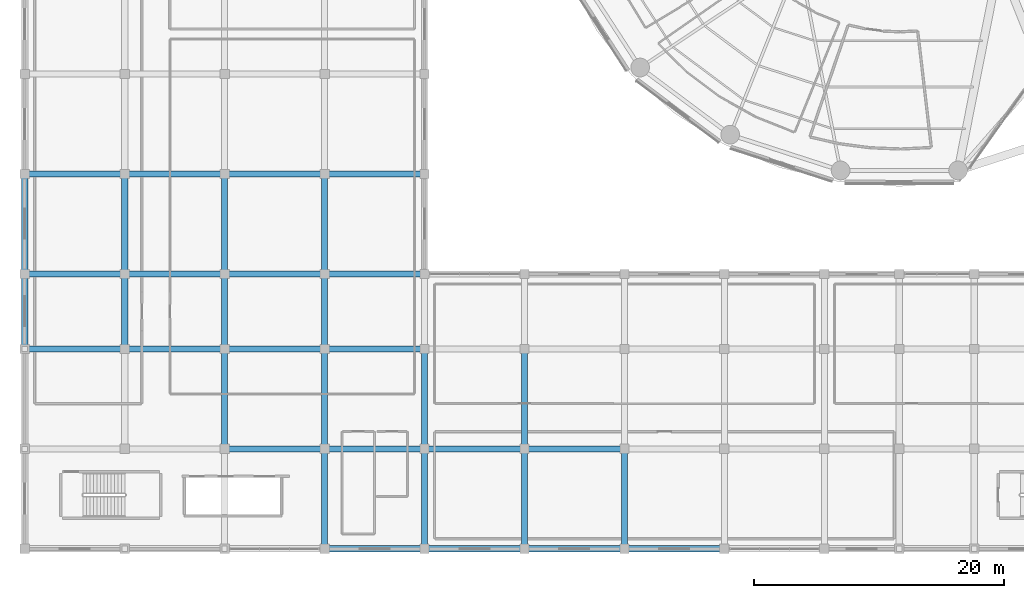
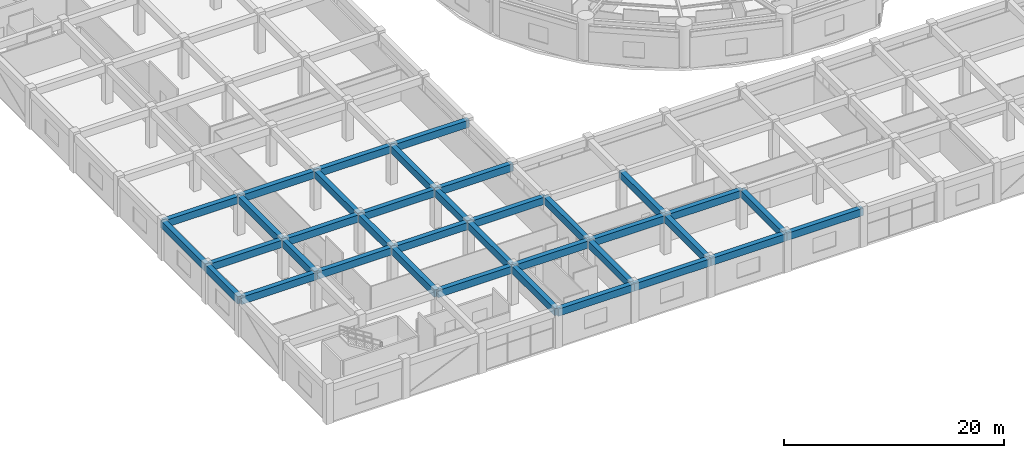
# One storey, part 7 of 53: 36 beams.
"""IFC4 building model written with IfcOpenShell, lengths in metres."""

from ifc_helpers import new_model, si_unit, direction, frame, origin, origin_2d, place, context, subcontext, project, spatial, rectangle, extrude, material, material_profile, profile_set, type_object, element, save


model = new_model("IFC4")

# Units and contexts
model_context = context("Model", 3, precision=1e-05, world=origin(), true_north=direction((0.0, 1.0)))
body_context = subcontext(model_context, "Body", "Model", "MODEL_VIEW")
ifc_project = project(units=[si_unit("LENGTHUNIT", "METRE"), si_unit("AREAUNIT", "SQUARE_METRE"), si_unit("VOLUMEUNIT", "CUBIC_METRE"), si_unit("PLANEANGLEUNIT", "RADIAN"), si_unit("MASSUNIT", "GRAM", prefix="KILO")], contexts=[model_context])

# Site, building, storey
site_placement = place(None, origin())
site = spatial("IfcSite", under=ifc_project, at=site_placement, CompositionType="ELEMENT")
building_placement = place(site_placement, origin())
building = spatial("IfcBuilding", under=site, at=building_placement, Name="Kelanora Arch Commons", CompositionType="ELEMENT")
storey_placement = place(building_placement, frame((0.0, 0.0, 9.0)))
storey = spatial("IfcBuildingStorey", under=building, at=storey_placement, Name="L02", CompositionType="ELEMENT", Elevation=9.0)

# Beams
ifc_material = material(Name="Concrete C40/50", Category="concrete")
ifc_material_profile = material_profile(ifc_material, rectangle(XDim=0.5, YDim=0.800048828125, at=origin_2d()), Name="RCB500x800")
ifc_profile_set = profile_set([ifc_material_profile], Name="Concrete C40/50")
beam_type = type_object("IfcBeamType", Name="BM-MKT-RC1", PredefinedType="BEAM", material=ifc_profile_set)
beam_1_placement = place(storey_placement, frame((4.0, 20.0, 3.840087890625), z_axis=(1.0, 0.0, 0.0), x_axis=(0.0, 1.0, 0.0)))
element("IfcBeam", 1, at=beam_1_placement, inside=storey, type_object=beam_type, Name="Market/Basement Frame Beam 005 L02", PredefinedType="BEAM", context=body_context, shape_type="SweptSolid", body=[
    extrude(rectangle(XDim=0.5, YDim=0.800048828125, at=origin_2d()), origin(), (0.0, 0.0, 1.0), 8.0),
])
beam_2_placement = place(storey_placement, frame((4.0, 20.0, 3.840087890625), z_axis=(0.0, 1.0, 0.0), x_axis=(-1.0, 0.0, 0.0)))
element("IfcBeam", 2, at=beam_2_placement, inside=storey, type_object=beam_type, Name="Market/Basement Frame Beam 006 L02", PredefinedType="BEAM", context=body_context, shape_type="SweptSolid", body=[
    extrude(rectangle(XDim=0.5, YDim=0.800048828125, at=origin_2d()), origin(), (0.0, 0.0, 1.0), 6.0),
])
for number, where, z_axis, x_axis, name in (
    (3, (4.0, 26.0, 3.840087890625), (1.0, 0.0, 0.0), (0.0, 1.0, 0.0), "Market/Basement Frame Beam 007 L02"),
    (4, (4.0, 26.0, 3.840087890625), (0.0, 1.0, 0.0), (-1.0, 0.0, 0.0), "Market/Basement Frame Beam 008 L02"),
    (5, (4.0, 34.0, 3.840087890625), (1.0, 0.0, 0.0), (0.0, 1.0, 0.0), "Market/Basement Frame Beam 009 L02"),
    (6, (12.0, 20.0, 3.840087890625), (1.0, 0.0, 0.0), (0.0, 1.0, 0.0), "Market/Basement Frame Beam 024 L02"),
):
    element("IfcBeam", number, at=place(storey_placement, frame(where, z_axis=z_axis, x_axis=x_axis)), inside=storey, type_object=beam_type, Name=name, PredefinedType="BEAM", context=body_context, shape_type="SweptSolid", body=[
        extrude(rectangle(XDim=0.5, YDim=0.800048828125, at=origin_2d()), origin(), (0.0, 0.0, 1.0), 8.0),
    ])
beam_3_placement = place(storey_placement, frame((12.0, 20.0, 3.840087890625), z_axis=(0.0, 1.0, 0.0), x_axis=(-1.0, 0.0, 0.0)))
element("IfcBeam", 7, at=beam_3_placement, inside=storey, type_object=beam_type, Name="Market/Basement Frame Beam 025 L02", PredefinedType="BEAM", context=body_context, shape_type="SweptSolid", body=[
    extrude(rectangle(XDim=0.5, YDim=0.800048828125, at=origin_2d()), origin(), (0.0, 0.0, 1.0), 6.0),
])
for number, where, z_axis, x_axis, name in (
    (8, (12.0, 26.0, 3.840087890625), (1.0, 0.0, 0.0), (0.0, 1.0, 0.0), "Market/Basement Frame Beam 026 L02"),
    (9, (12.0, 26.0, 3.840087890625), (0.0, 1.0, 0.0), (-1.0, 0.0, 0.0), "Market/Basement Frame Beam 027 L02"),
    (10, (12.0, 34.0, 3.840087890625), (1.0, 0.0, 0.0), (0.0, 1.0, 0.0), "Market/Basement Frame Beam 028 L02"),
    (11, (20.0, 12.0, 3.840087890625), (1.0, 0.0, 0.0), (0.0, 1.0, 0.0), "Market/Basement Frame Beam 040 L02"),
    (12, (20.0, 12.0, 3.840087890625), (0.0, 1.0, 0.0), (-1.0, 0.0, 0.0), "Market/Basement Frame Beam 041 L02"),
    (13, (20.0, 20.0, 3.840087890625), (1.0, 0.0, 0.0), (0.0, 1.0, 0.0), "Market/Basement Frame Beam 042 L02"),
):
    element("IfcBeam", number, at=place(storey_placement, frame(where, z_axis=z_axis, x_axis=x_axis)), inside=storey, type_object=beam_type, Name=name, PredefinedType="BEAM", context=body_context, shape_type="SweptSolid", body=[
        extrude(rectangle(XDim=0.5, YDim=0.800048828125, at=origin_2d()), origin(), (0.0, 0.0, 1.0), 8.0),
    ])
beam_4_placement = place(storey_placement, frame((20.0, 20.0, 3.840087890625), z_axis=(0.0, 1.0, 0.0), x_axis=(-1.0, 0.0, 0.0)))
element("IfcBeam", 14, at=beam_4_placement, inside=storey, type_object=beam_type, Name="Market/Basement Frame Beam 043 L02", PredefinedType="BEAM", context=body_context, shape_type="SweptSolid", body=[
    extrude(rectangle(XDim=0.5, YDim=0.800048828125, at=origin_2d()), origin(), (0.0, 0.0, 1.0), 6.0),
])
for number, where, z_axis, x_axis, name in (
    (15, (20.0, 26.0, 3.840087890625), (1.0, 0.0, 0.0), (0.0, 1.0, 0.0), "Market/Basement Frame Beam 044 L02"),
    (16, (20.0, 26.0, 3.840087890625), (0.0, 1.0, 0.0), (-1.0, 0.0, 0.0), "Market/Basement Frame Beam 045 L02"),
    (17, (20.0, 34.0, 3.840087890625), (1.0, 0.0, 0.0), (0.0, 1.0, 0.0), "Market/Basement Frame Beam 046 L02"),
    (18, (28.0, 4.0, 3.840087890625), (1.0, 0.0, 0.0), (0.0, 1.0, 0.0), "Market/Basement Frame Beam 059 L02"),
    (19, (28.0, 4.0, 3.840087890625), (0.0, 1.0, 0.0), (-1.0, 0.0, 0.0), "Market/Basement Frame Beam 060 L02"),
    (20, (28.0, 12.0, 3.840087890625), (1.0, 0.0, 0.0), (0.0, 1.0, 0.0), "Market/Basement Frame Beam 061 L02"),
    (21, (28.0, 12.0, 3.840087890625), (0.0, 1.0, 0.0), (-1.0, 0.0, 0.0), "Market/Basement Frame Beam 062 L02"),
    (22, (28.0, 20.0, 3.840087890625), (1.0, 0.0, 0.0), (0.0, 1.0, 0.0), "Market/Basement Frame Beam 063 L02"),
):
    element("IfcBeam", number, at=place(storey_placement, frame(where, z_axis=z_axis, x_axis=x_axis)), inside=storey, type_object=beam_type, Name=name, PredefinedType="BEAM", context=body_context, shape_type="SweptSolid", body=[
        extrude(rectangle(XDim=0.5, YDim=0.800048828125, at=origin_2d()), origin(), (0.0, 0.0, 1.0), 8.0),
    ])
beam_5_placement = place(storey_placement, frame((28.0, 20.0, 3.840087890625), z_axis=(0.0, 1.0, 0.0), x_axis=(-1.0, 0.0, 0.0)))
element("IfcBeam", 23, at=beam_5_placement, inside=storey, type_object=beam_type, Name="Market/Basement Frame Beam 064 L02", PredefinedType="BEAM", context=body_context, shape_type="SweptSolid", body=[
    extrude(rectangle(XDim=0.5, YDim=0.800048828125, at=origin_2d()), origin(), (0.0, 0.0, 1.0), 6.0),
])
for number, where, z_axis, x_axis, name in (
    (24, (28.0, 26.0, 3.840087890625), (1.0, 0.0, 0.0), (0.0, 1.0, 0.0), "Market/Basement Frame Beam 065 L02"),
    (25, (28.0, 26.0, 3.840087890625), (0.0, 1.0, 0.0), (-1.0, 0.0, 0.0), "Market/Basement Frame Beam 066 L02"),
    (26, (28.0, 34.0, 3.840087890625), (1.0, 0.0, 0.0), (0.0, 1.0, 0.0), "Market/Basement Frame Beam 067 L02"),
    (27, (36.0, 4.0, 3.840087890625), (1.0, 0.0, 0.0), (0.0, 1.0, 0.0), "Market/Basement Frame Beam 080 L02"),
    (28, (36.0, 4.0, 3.840087890625), (0.0, 1.0, 0.0), (-1.0, 0.0, 0.0), "Market/Basement Frame Beam 081 L02"),
    (29, (36.0, 12.0, 3.840087890625), (1.0, 0.0, 0.0), (0.0, 1.0, 0.0), "Market/Basement Frame Beam 082 L02"),
    (30, (36.0, 12.0, 3.840087890625), (0.0, 1.0, 0.0), (-1.0, 0.0, 0.0), "Market/Basement Frame Beam 083 L02"),
    (31, (44.0, 4.0, 3.840087890625), (1.0, 0.0, 0.0), (0.0, 1.0, 0.0), "Market/Basement Frame Beam 094 L02"),
    (32, (44.0, 4.0, 3.840087890625), (0.0, 1.0, 0.0), (-1.0, 0.0, 0.0), "Market/Basement Frame Beam 095 L02"),
    (33, (44.0, 12.0, 3.840087890625), (1.0, 0.0, 0.0), (0.0, 1.0, 0.0), "Market/Basement Frame Beam 096 L02"),
    (34, (44.0, 12.0, 3.840087890625), (0.0, 1.0, 0.0), (-1.0, 0.0, 0.0), "Market/Basement Frame Beam 097 L02"),
    (35, (52.0, 4.0, 3.840087890625), (1.0, 0.0, 0.0), (0.0, 1.0, 0.0), "Market/Basement Frame Beam 101 L02"),
    (36, (52.0, 4.0, 3.840087890625), (0.0, 1.0, 0.0), (-1.0, 0.0, 0.0), "Market/Basement Frame Beam 102 L02"),
):
    element("IfcBeam", number, at=place(storey_placement, frame(where, z_axis=z_axis, x_axis=x_axis)), inside=storey, type_object=beam_type, Name=name, PredefinedType="BEAM", context=body_context, shape_type="SweptSolid", body=[
        extrude(rectangle(XDim=0.5, YDim=0.800048828125, at=origin_2d()), origin(), (0.0, 0.0, 1.0), 8.0),
    ])

save(model, "model.ifc")
